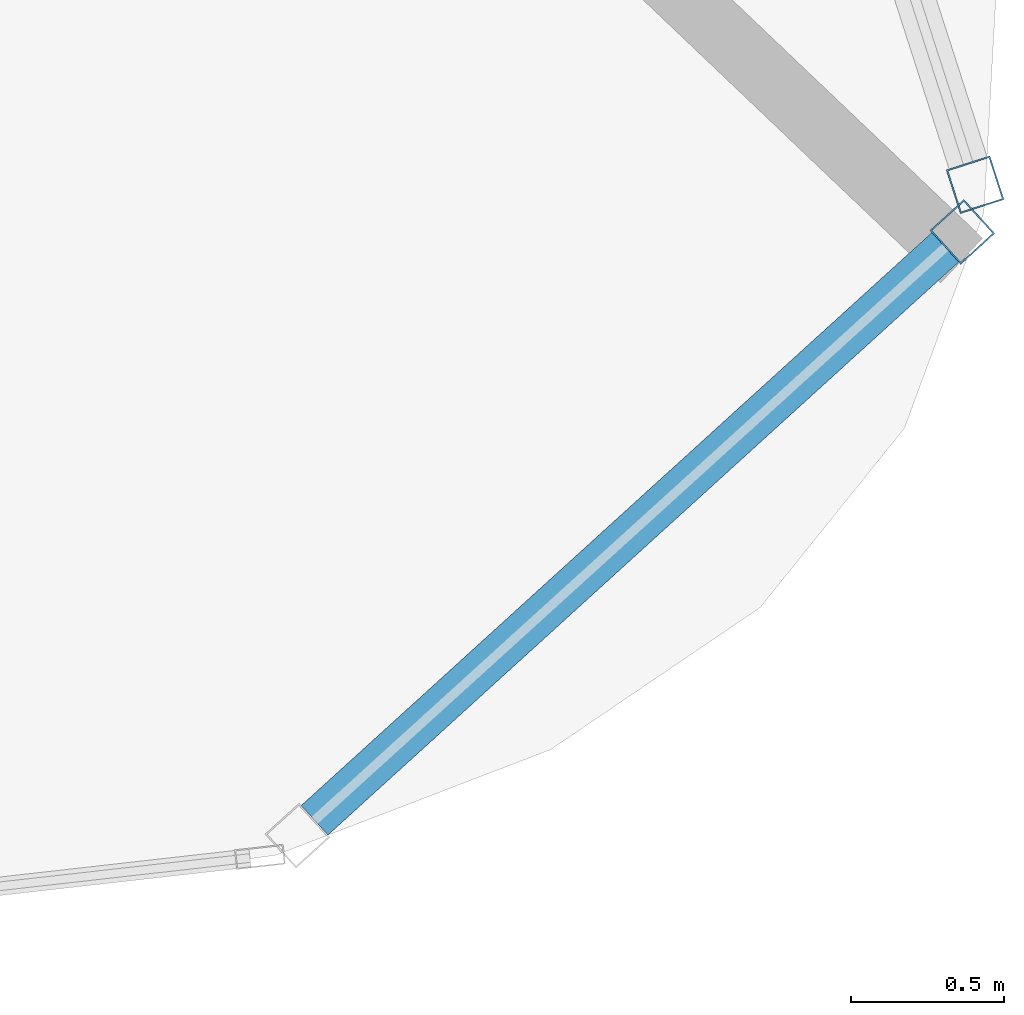
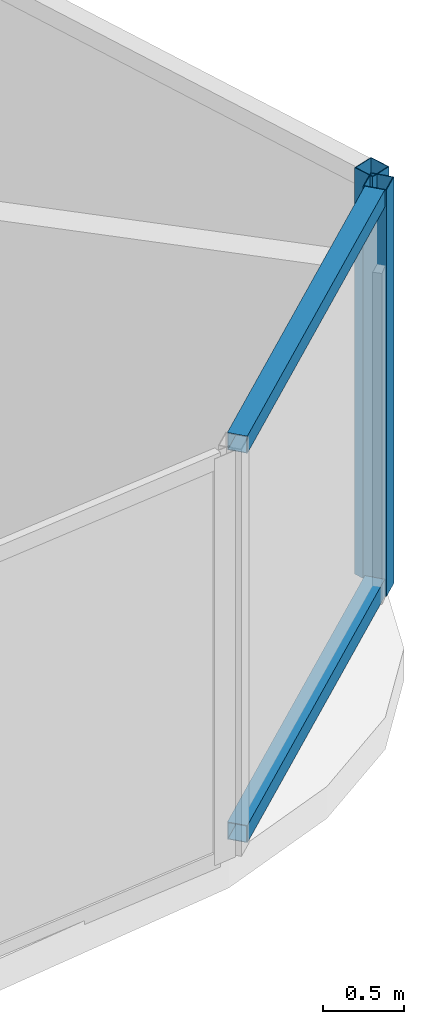
# One storey, part 15 of 32: 4 members, 2 elements without a shape of their own.
"""IFC4 building model written with IfcOpenShell, lengths in metres."""

from ifc_helpers import new_model, si_unit, direction, frame, origin, origin_2d, place, context, subcontext, project, spatial, hollow_rectangle, extrude, material, layer, layer_set, material_profile, profile_set, type_object, element, aggregate, save


model = new_model("IFC4")

# Units and contexts
model_context = context("Model", 3, precision=1e-05, world=origin(), true_north=direction((0.0, 1.0)))
body_context = subcontext(model_context, "Body", "Model", "MODEL_VIEW")
ifc_project = project(units=[si_unit("LENGTHUNIT", "METRE"), si_unit("AREAUNIT", "SQUARE_METRE"), si_unit("VOLUMEUNIT", "CUBIC_METRE"), si_unit("PLANEANGLEUNIT", "RADIAN"), si_unit("MASSUNIT", "GRAM", prefix="KILO")], contexts=[model_context])

# Site, building, storey
site_placement = place(None, origin())
site = spatial("IfcSite", under=ifc_project, at=site_placement, CompositionType="ELEMENT")
building_placement = place(site_placement, origin())
building = spatial("IfcBuilding", under=site, at=building_placement, Name="Orvanel Arch Residences", CompositionType="ELEMENT")
storey_placement = place(building_placement, frame((0.0, 0.0, 216.199951171875)))
storey = spatial("IfcBuildingStorey", under=building, at=storey_placement, Name="L61", CompositionType="ELEMENT", Elevation=216.199951171875)

# Curtain wall, member
ifc_material = material(Name="Bronze-anodised aluminium AA6063-T6", Category="aluminium")
ifc_layer = layer(ifc_material, 0.18994140625)
ifc_layer_set = layer_set([ifc_layer], Name="Bronze-anodised aluminium AA6063-T6")
curtain_wall_type = type_object("IfcCurtainWallType", Name="CW5-CRN-SYS", PredefinedType="NOTDEFINED", material=ifc_layer_set)
curtain_wall_1_placement = place(storey_placement, origin())
curtain_wall_1 = element("IfcCurtainWall", 1, at=curtain_wall_1_placement, inside=storey, type_object=curtain_wall_type, Name="L61 CW5-CRN-SYS Unitised Curtain Wall", PredefinedType="NOTDEFINED")
ifc_material_profile_1 = material_profile(ifc_material, hollow_rectangle(XDim=0.14990234375, YDim=0.14990234375, WallThickness=0.0048828125, at=origin_2d()), Name="ALU150x150x5")
ifc_profile_set_1 = profile_set([ifc_material_profile_1], Name="Bronze-anodised aluminium AA6063-T6")
member_type_1 = type_object("IfcMemberType", Name="MUL-150x150", PredefinedType="MULLION", material=ifc_profile_set_1)
member_1_placement = place(storey_placement, frame((56.0615234375, 8.656494140625, 0.0), z_axis=(0.0, 0.0, 1.0), x_axis=(-0.672365707037, 0.740219127016, 0.0)))
member_1 = element("IfcMember", 2, at=member_1_placement, type_object=member_type_1, Name="CW-S5 mullion 2", PredefinedType="MULLION", context=body_context, shape_type="SweptSolid", body=[
    extrude(hollow_rectangle(XDim=0.14990234375, YDim=0.14990234375, WallThickness=0.0048828125, at=origin_2d()), origin(), (0.0, 0.0, 1.0), 3.06005859375),
])

curtain_wall_2_placement = place(storey_placement, origin())
curtain_wall_2 = element("IfcCurtainWall", 3, at=curtain_wall_2_placement, inside=storey, type_object=curtain_wall_type, Name="L61 CW5-CRN-SYS Unitised Curtain Wall", PredefinedType="NOTDEFINED")
member_2_placement = place(storey_placement, frame((56.10302734375, 8.810302734375, 0.0), z_axis=(0.0, 0.0, 1.0), x_axis=(-0.951837092592, -0.306604222357, 0.0)))
member_2 = element("IfcMember", 4, at=member_2_placement, type_object=member_type_1, Name="CW-S5 mullion 1", PredefinedType="MULLION", context=body_context, shape_type="SweptSolid", body=[
    extrude(hollow_rectangle(XDim=0.14990234375, YDim=0.14990234375, WallThickness=0.0048828125, at=origin_2d()), origin(), (0.0, 0.0, 1.0), 3.06005859375),
])
aggregate(curtain_wall_2, [member_2])

# Member
ifc_material_profile_2 = material_profile(ifc_material, hollow_rectangle(XDim=0.1298828125, YDim=0.1298828125, WallThickness=0.00439453125, at=origin_2d()), Name="ALU130x130x4.5")
ifc_profile_set_2 = profile_set([ifc_material_profile_2], Name="Bronze-anodised aluminium AA6063-T6")
member_type_2 = type_object("IfcMemberType", Name="TRN-130x130", PredefinedType="USERDEFINED", material=ifc_profile_set_2)
member_3_placement = place(storey_placement, frame((53.947998046875, 6.73681640625, 0.06494140625), z_axis=(0.74019035374, 0.672397382677, 0.0), x_axis=(-0.672397382677, 0.74019035374, 0.0)))
member_3 = element("IfcMember", 5, at=member_3_placement, type_object=member_type_2, Name="CW-S5 transom 1.1", ObjectType="TRANSOM", PredefinedType="USERDEFINED", context=body_context, shape_type="SweptSolid", body=[
    extrude(hollow_rectangle(XDim=0.1298828125, YDim=0.1298828125, WallThickness=0.00439453125, at=origin_2d()), origin(), (0.0, 0.0, 1.0), 2.7802734375),
])

member_4_placement = place(storey_placement, frame((53.947998046875, 6.73681640625, 2.9951171875), z_axis=(0.74019035374, 0.672397382677, 0.0), x_axis=(-0.672397382677, 0.74019035374, 0.0)))
member_4 = element("IfcMember", 6, at=member_4_placement, type_object=member_type_2, Name="CW-S5 transom 1.2", ObjectType="TRANSOM", PredefinedType="USERDEFINED", context=body_context, shape_type="SweptSolid", body=[
    extrude(hollow_rectangle(XDim=0.1298828125, YDim=0.1298828125, WallThickness=0.00439453125, at=origin_2d()), origin(), (0.0, 0.0, 1.0), 2.7802734375),
])

aggregate(curtain_wall_1, [member_1, member_3, member_4])

save(model, "model.ifc")
